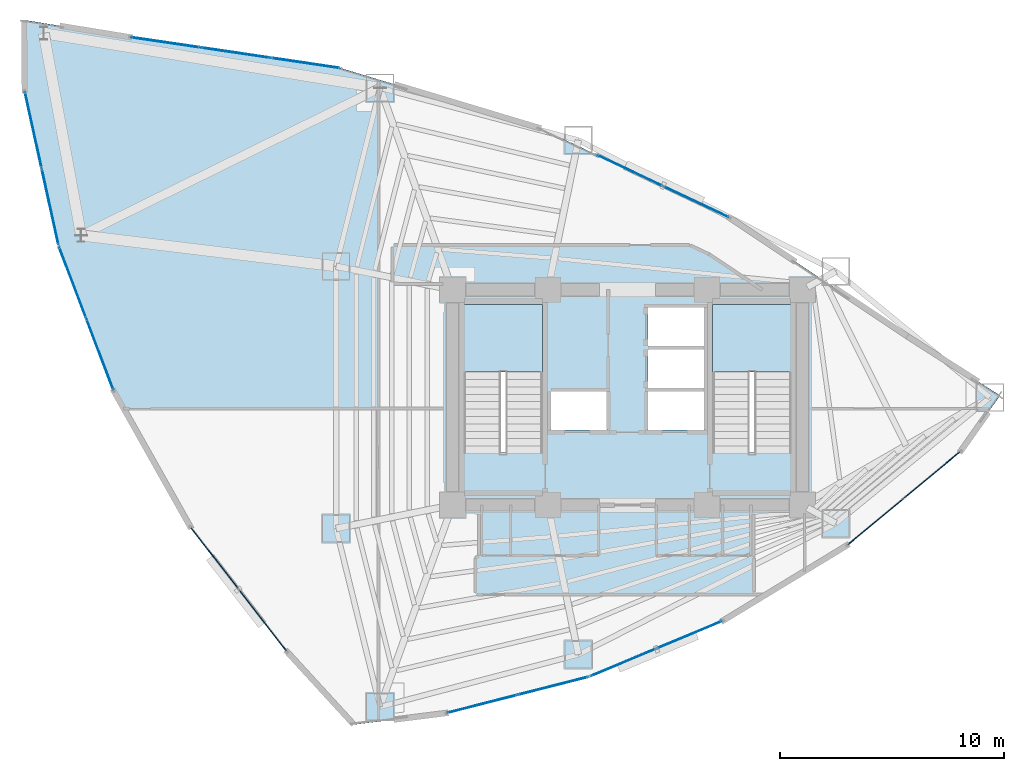
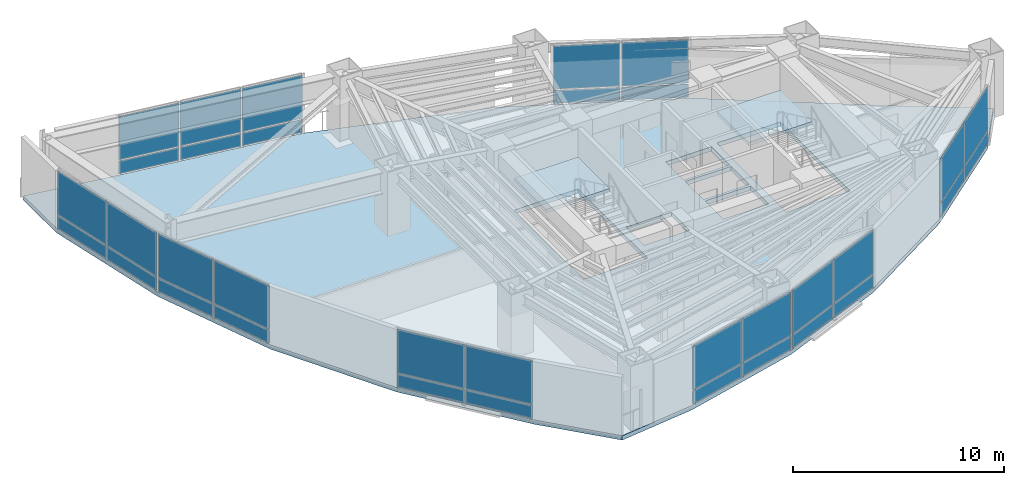
# One storey, part 18 of 23: 34 plates, 3 slabs, 10 elements without a shape of their own.
"""IFC4 building model written with IfcOpenShell, lengths in metres."""

from ifc_helpers import new_model, si_unit, direction, frame, origin, origin_2d, place, context, subcontext, project, spatial, polyline, rectangle, outline, extrude, material, layer, layer_set, type_object, element, aggregate, save


model = new_model("IFC4")

# Units and contexts
model_context = context("Model", 3, precision=1e-05, world=origin(), true_north=direction((0.0, 1.0)))
body_context = subcontext(model_context, "Body", "Model", "MODEL_VIEW")
ifc_project = project(units=[si_unit("LENGTHUNIT", "METRE"), si_unit("AREAUNIT", "SQUARE_METRE"), si_unit("VOLUMEUNIT", "CUBIC_METRE"), si_unit("PLANEANGLEUNIT", "RADIAN"), si_unit("MASSUNIT", "GRAM", prefix="KILO")], contexts=[model_context])

# Site, building, storey
site_placement = place(None, origin())
site = spatial("IfcSite", under=ifc_project, at=site_placement, CompositionType="ELEMENT")
building_placement = place(site_placement, origin())
building = spatial("IfcBuilding", under=site, at=building_placement, Name="Menara Vayukalpa", CompositionType="ELEMENT")
storey_placement = place(building_placement, frame((0.0, 0.0, 111.419921875)))
storey = spatial("IfcBuildingStorey", under=building, at=storey_placement, Name="L27", CompositionType="ELEMENT", Elevation=111.419921875)

# Curtain wall, plates
ifc_material_1 = material(Name="Anodised Terracotta Aluminium Alloy 6063-T6", Category="masonry")
ifc_layer_1 = layer(ifc_material_1, 0.179931640625)
ifc_layer_set_1 = layer_set([ifc_layer_1], Name="Anodised Terracotta Aluminium Alloy 6063-T6")
curtain_wall_type = type_object("IfcCurtainWallType", Name="CW-CW4", PredefinedType="USERDEFINED", material=ifc_layer_set_1)
curtain_wall_1_placement = place(storey_placement, origin())
curtain_wall_1 = element("IfcCurtainWall", 1, at=curtain_wall_1_placement, inside=storey, type_object=curtain_wall_type, Name="L27 Sky Bar Cantilever Glazed Curtain Wall CW4 05", ObjectType="UNITISED", PredefinedType="USERDEFINED")
ifc_material_2 = material(Name="Low-E Double Glazing", Category="glass")
ifc_layer_2 = layer(ifc_material_2, 0.0380859375)
ifc_layer_set_2 = layer_set([ifc_layer_2], Name="Low-E Double Glazing")
plate_type = type_object("IfcPlateType", Name="CWP-CW4", PredefinedType="CURTAIN_PANEL", material=ifc_layer_set_2)
plate_1_placement = place(storey_placement, frame((28.653076171875, 30.7216796875, 0.070068359375), z_axis=(0.0, 0.0, 1.0), x_axis=(-0.903839947796, 0.427870715016, 0.0)))
plate_1 = element("IfcPlate", 2, at=plate_1_placement, type_object=plate_type, Name="CW4 panel 1.1", PredefinedType="CURTAIN_PANEL", context=body_context, shape_type="SweptSolid", body=[
    extrude(rectangle(XDim=3.18701171875, YDim=0.0380859375, at=origin_2d()), origin(), (0.0, 0.0, 1.0), 0.7451171875),
])
plate_2_placement = place(storey_placement, frame((28.653076171875, 30.7216796875, 0.88525390625), z_axis=(0.0, 0.0, 1.0), x_axis=(-0.903839947796, 0.427870715016, 0.0)))
plate_2 = element("IfcPlate", 3, at=plate_2_placement, type_object=plate_type, Name="CW4 panel 1.2", PredefinedType="CURTAIN_PANEL", context=body_context, shape_type="SweptSolid", body=[
    extrude(rectangle(XDim=3.18701171875, YDim=0.0380859375, at=origin_2d()), origin(), (0.0, 0.0, 1.0), 2.514892578125),
])
plate_3_placement = place(storey_placement, frame((25.704833984375, 32.1171875, 0.070068359375), z_axis=(0.0, 0.0, 1.0), x_axis=(-0.903839947796, 0.427870715016, 0.0)))
plate_3 = element("IfcPlate", 4, at=plate_3_placement, type_object=plate_type, Name="CW4 panel 2.1", PredefinedType="CURTAIN_PANEL", context=body_context, shape_type="SweptSolid", body=[
    extrude(rectangle(XDim=3.18701171875, YDim=0.0380859375, at=origin_2d()), origin(), (0.0, 0.0, 1.0), 0.7451171875),
])
plate_4_placement = place(storey_placement, frame((25.704833984375, 32.1171875, 0.88525390625), z_axis=(0.0, 0.0, 1.0), x_axis=(-0.903839947796, 0.427870715016, 0.0)))
plate_4 = element("IfcPlate", 5, at=plate_4_placement, type_object=plate_type, Name="CW4 panel 2.2", PredefinedType="CURTAIN_PANEL", context=body_context, shape_type="SweptSolid", body=[
    extrude(rectangle(XDim=3.18701171875, YDim=0.0380859375, at=origin_2d()), origin(), (0.0, 0.0, 1.0), 2.514892578125),
])
aggregate(curtain_wall_1, [plate_1, plate_2, plate_3, plate_4])

curtain_wall_2_placement = place(storey_placement, origin())
curtain_wall_2 = element("IfcCurtainWall", 6, at=curtain_wall_2_placement, inside=storey, type_object=curtain_wall_type, Name="L27 Sky Bar Cantilever Glazed Curtain Wall CW4 07", ObjectType="UNITISED", PredefinedType="USERDEFINED")
plate_5_placement = place(storey_placement, frame((11.241455078125, 36.909423828125, 0.070068359375), z_axis=(0.0, 0.0, 1.0), x_axis=(-0.989365495659, 0.145450733924, 0.0)))
plate_5 = element("IfcPlate", 7, at=plate_5_placement, type_object=plate_type, Name="CW4 panel 1.1", PredefinedType="CURTAIN_PANEL", context=body_context, shape_type="SweptSolid", body=[
    extrude(rectangle(XDim=3.06005859375, YDim=0.0380859375, at=origin_2d()), origin(), (0.0, 0.0, 1.0), 0.7451171875),
])
plate_6_placement = place(storey_placement, frame((11.241455078125, 36.909423828125, 0.88525390625), z_axis=(0.0, 0.0, 1.0), x_axis=(-0.989365495659, 0.145450733924, 0.0)))
plate_6 = element("IfcPlate", 8, at=plate_6_placement, type_object=plate_type, Name="CW4 panel 1.2", PredefinedType="CURTAIN_PANEL", context=body_context, shape_type="SweptSolid", body=[
    extrude(rectangle(XDim=3.06005859375, YDim=0.0380859375, at=origin_2d()), origin(), (0.0, 0.0, 1.0), 2.514892578125),
])
plate_7_placement = place(storey_placement, frame((8.121337890625, 37.3681640625, 0.070068359375), z_axis=(0.0, 0.0, 1.0), x_axis=(-0.989365495659, 0.145450733924, 0.0)))
plate_7 = element("IfcPlate", 9, at=plate_7_placement, type_object=plate_type, Name="CW4 panel 2.1", PredefinedType="CURTAIN_PANEL", context=body_context, shape_type="SweptSolid", body=[
    extrude(rectangle(XDim=3.097412109375, YDim=0.0380859375, at=origin_2d()), origin(), (0.0, 0.0, 1.0), 0.7451171875),
])
plate_8_placement = place(storey_placement, frame((8.121337890625, 37.3681640625, 0.88525390625), z_axis=(0.0, 0.0, 1.0), x_axis=(-0.989365495659, 0.145450733924, 0.0)))
plate_8 = element("IfcPlate", 10, at=plate_8_placement, type_object=plate_type, Name="CW4 panel 2.2", PredefinedType="CURTAIN_PANEL", context=body_context, shape_type="SweptSolid", body=[
    extrude(rectangle(XDim=3.097412109375, YDim=0.0380859375, at=origin_2d()), origin(), (0.0, 0.0, 1.0), 2.514892578125),
])
plate_9_placement = place(storey_placement, frame((5.001220703125, 37.826904296875, 0.070068359375), z_axis=(0.0, 0.0, 1.0), x_axis=(-0.989365495659, 0.145450733924, 0.0)))
plate_9 = element("IfcPlate", 11, at=plate_9_placement, type_object=plate_type, Name="CW4 panel 3.1", PredefinedType="CURTAIN_PANEL", context=body_context, shape_type="SweptSolid", body=[
    extrude(rectangle(XDim=3.06005859375, YDim=0.0380859375, at=origin_2d()), origin(), (0.0, 0.0, 1.0), 0.7451171875),
])
plate_10_placement = place(storey_placement, frame((5.001220703125, 37.826904296875, 0.88525390625), z_axis=(0.0, 0.0, 1.0), x_axis=(-0.989365495659, 0.145450733924, 0.0)))
plate_10 = element("IfcPlate", 12, at=plate_10_placement, type_object=plate_type, Name="CW4 panel 3.2", PredefinedType="CURTAIN_PANEL", context=body_context, shape_type="SweptSolid", body=[
    extrude(rectangle(XDim=3.06005859375, YDim=0.0380859375, at=origin_2d()), origin(), (0.0, 0.0, 1.0), 2.514892578125),
])
aggregate(curtain_wall_2, [plate_5, plate_6, plate_7, plate_8, plate_9, plate_10])

curtain_wall_3_placement = place(storey_placement, origin())
curtain_wall_3 = element("IfcCurtainWall", 13, at=curtain_wall_3_placement, inside=storey, type_object=curtain_wall_type, Name="L27 Sky Bar Cantilever Glazed Curtain Wall CW4 10", ObjectType="UNITISED", PredefinedType="USERDEFINED")
plate_11_placement = place(storey_placement, frame((-0.8916015625, 33.92529296875, 0.070068359375), z_axis=(0.0, 0.0, 1.0), x_axis=(0.214510159112, -0.976721757533, 0.0)))
plate_11 = element("IfcPlate", 14, at=plate_11_placement, type_object=plate_type, Name="CW4 panel 1.1", PredefinedType="CURTAIN_PANEL", context=body_context, shape_type="SweptSolid", body=[
    extrude(rectangle(XDim=3.427734375, YDim=0.0380859375, at=origin_2d()), origin(), (0.0, 0.0, 1.0), 0.7451171875),
])
plate_12_placement = place(storey_placement, frame((-0.8916015625, 33.92529296875, 0.88525390625), z_axis=(0.0, 0.0, 1.0), x_axis=(0.214510159112, -0.976721757533, 0.0)))
plate_12 = element("IfcPlate", 15, at=plate_12_placement, type_object=plate_type, Name="CW4 panel 1.2", PredefinedType="CURTAIN_PANEL", context=body_context, shape_type="SweptSolid", body=[
    extrude(rectangle(XDim=3.427734375, YDim=0.0380859375, at=origin_2d()), origin(), (0.0, 0.0, 1.0), 2.514892578125),
])
plate_13_placement = place(storey_placement, frame((-0.14013671875, 30.50439453125, 0.070068359375), z_axis=(0.0, 0.0, 1.0), x_axis=(0.214510159112, -0.976721757533, 0.0)))
plate_13 = element("IfcPlate", 16, at=plate_13_placement, type_object=plate_type, Name="CW4 panel 2.1", PredefinedType="CURTAIN_PANEL", context=body_context, shape_type="SweptSolid", body=[
    extrude(rectangle(XDim=3.427734375, YDim=0.0380859375, at=origin_2d()), origin(), (0.0, 0.0, 1.0), 0.7451171875),
])
plate_14_placement = place(storey_placement, frame((-0.14013671875, 30.50439453125, 0.88525390625), z_axis=(0.0, 0.0, 1.0), x_axis=(0.214510159112, -0.976721757533, 0.0)))
plate_14 = element("IfcPlate", 17, at=plate_14_placement, type_object=plate_type, Name="CW4 panel 2.2", PredefinedType="CURTAIN_PANEL", context=body_context, shape_type="SweptSolid", body=[
    extrude(rectangle(XDim=3.427734375, YDim=0.0380859375, at=origin_2d()), origin(), (0.0, 0.0, 1.0), 2.514892578125),
])
aggregate(curtain_wall_3, [plate_11, plate_12, plate_13, plate_14])

curtain_wall_4_placement = place(storey_placement, origin())
curtain_wall_4 = element("IfcCurtainWall", 18, at=curtain_wall_4_placement, inside=storey, type_object=curtain_wall_type, Name="L27 Sky Bar Cantilever Glazed Curtain Wall CW4 11", ObjectType="UNITISED", PredefinedType="USERDEFINED")
plate_15_placement = place(storey_placement, frame((0.864501953125, 27.120361328125, 0.070068359375), z_axis=(0.0, 0.0, 1.0), x_axis=(0.354742140657, -0.934964177732, 0.0)))
plate_15 = element("IfcPlate", 19, at=plate_15_placement, type_object=plate_type, Name="CW4 panel 1.1", PredefinedType="CURTAIN_PANEL", context=body_context, shape_type="SweptSolid", body=[
    extrude(rectangle(XDim=3.35107421875, YDim=0.0380859375, at=origin_2d()), origin(), (0.0, 0.0, 1.0), 0.7451171875),
])
plate_16_placement = place(storey_placement, frame((0.864501953125, 27.120361328125, 0.88525390625), z_axis=(0.0, 0.0, 1.0), x_axis=(0.354742140657, -0.934964177732, 0.0)))
plate_16 = element("IfcPlate", 20, at=plate_16_placement, type_object=plate_type, Name="CW4 panel 1.2", PredefinedType="CURTAIN_PANEL", context=body_context, shape_type="SweptSolid", body=[
    extrude(rectangle(XDim=3.35107421875, YDim=0.0380859375, at=origin_2d()), origin(), (0.0, 0.0, 1.0), 2.514892578125),
])
plate_17_placement = place(storey_placement, frame((2.079833984375, 23.917236328125, 0.070068359375), z_axis=(0.0, 0.0, 1.0), x_axis=(0.354742140657, -0.934964177732, 0.0)))
plate_17 = element("IfcPlate", 21, at=plate_17_placement, type_object=plate_type, Name="CW4 panel 2.1", PredefinedType="CURTAIN_PANEL", context=body_context, shape_type="SweptSolid", body=[
    extrude(rectangle(XDim=3.35107421875, YDim=0.0380859375, at=origin_2d()), origin(), (0.0, 0.0, 1.0), 0.7451171875),
])
plate_18_placement = place(storey_placement, frame((2.079833984375, 23.917236328125, 0.88525390625), z_axis=(0.0, 0.0, 1.0), x_axis=(0.354742140657, -0.934964177732, 0.0)))
plate_18 = element("IfcPlate", 22, at=plate_18_placement, type_object=plate_type, Name="CW4 panel 2.2", PredefinedType="CURTAIN_PANEL", context=body_context, shape_type="SweptSolid", body=[
    extrude(rectangle(XDim=3.35107421875, YDim=0.0380859375, at=origin_2d()), origin(), (0.0, 0.0, 1.0), 2.514892578125),
])
aggregate(curtain_wall_4, [plate_15, plate_16, plate_17, plate_18])

curtain_wall_5_placement = place(storey_placement, origin())
curtain_wall_5 = element("IfcCurtainWall", 23, at=curtain_wall_5_placement, inside=storey, type_object=curtain_wall_type, Name="L27 Sky Bar Cantilever Glazed Curtain Wall CW4 13", ObjectType="UNITISED", PredefinedType="USERDEFINED")
plate_19_placement = place(storey_placement, frame((7.19189453125, 14.82861328125, 0.070068359375), z_axis=(0.0, 0.0, 1.0), x_axis=(0.612188860273, -0.790711577857, 0.0)))
plate_19 = element("IfcPlate", 24, at=plate_19_placement, type_object=plate_type, Name="CW4 panel 1.1", PredefinedType="CURTAIN_PANEL", context=body_context, shape_type="SweptSolid", body=[
    extrude(rectangle(XDim=3.427734375, YDim=0.0380859375, at=origin_2d()), origin(), (0.0, 0.0, 1.0), 0.7451171875),
])
plate_20_placement = place(storey_placement, frame((7.19189453125, 14.82861328125, 0.88525390625), z_axis=(0.0, 0.0, 1.0), x_axis=(0.612188860273, -0.790711577857, 0.0)))
plate_20 = element("IfcPlate", 25, at=plate_20_placement, type_object=plate_type, Name="CW4 panel 1.2", PredefinedType="CURTAIN_PANEL", context=body_context, shape_type="SweptSolid", body=[
    extrude(rectangle(XDim=3.427734375, YDim=0.0380859375, at=origin_2d()), origin(), (0.0, 0.0, 1.0), 2.514892578125),
])
plate_21_placement = place(storey_placement, frame((9.336181640625, 12.05908203125, 0.070068359375), z_axis=(0.0, 0.0, 1.0), x_axis=(0.612188860273, -0.790711577857, 0.0)))
plate_21 = element("IfcPlate", 26, at=plate_21_placement, type_object=plate_type, Name="CW4 panel 2.1", PredefinedType="CURTAIN_PANEL", context=body_context, shape_type="SweptSolid", body=[
    extrude(rectangle(XDim=3.427734375, YDim=0.0380859375, at=origin_2d()), origin(), (0.0, 0.0, 1.0), 0.7451171875),
])
plate_22_placement = place(storey_placement, frame((9.336181640625, 12.05908203125, 0.88525390625), z_axis=(0.0, 0.0, 1.0), x_axis=(0.612188860273, -0.790711577857, 0.0)))
plate_22 = element("IfcPlate", 27, at=plate_22_placement, type_object=plate_type, Name="CW4 panel 2.2", PredefinedType="CURTAIN_PANEL", context=body_context, shape_type="SweptSolid", body=[
    extrude(rectangle(XDim=3.427734375, YDim=0.0380859375, at=origin_2d()), origin(), (0.0, 0.0, 1.0), 2.514892578125),
])
aggregate(curtain_wall_5, [plate_19, plate_20, plate_21, plate_22])

curtain_wall_6_placement = place(storey_placement, origin())
curtain_wall_6 = element("IfcCurtainWall", 28, at=curtain_wall_6_placement, inside=storey, type_object=curtain_wall_type, Name="L27 Sky Bar Cantilever Glazed Curtain Wall CW4 16", ObjectType="UNITISED", PredefinedType="USERDEFINED")
plate_23_placement = place(storey_placement, frame((19.1279296875, 8.33349609375, 0.070068359375), z_axis=(0.0, 0.0, 1.0), x_axis=(0.968982181476, 0.247130597017, 0.0)))
plate_23 = element("IfcPlate", 29, at=plate_23_placement, type_object=plate_type, Name="CW4 panel 1.1", PredefinedType="CURTAIN_PANEL", context=body_context, shape_type="SweptSolid", body=[
    extrude(rectangle(XDim=3.1884765625, YDim=0.0380859375, at=origin_2d()), origin(), (0.0, 0.0, 1.0), 0.7451171875),
])
plate_24_placement = place(storey_placement, frame((19.1279296875, 8.33349609375, 0.88525390625), z_axis=(0.0, 0.0, 1.0), x_axis=(0.968982181476, 0.247130597017, 0.0)))
plate_24 = element("IfcPlate", 30, at=plate_24_placement, type_object=plate_type, Name="CW4 panel 1.2", PredefinedType="CURTAIN_PANEL", context=body_context, shape_type="SweptSolid", body=[
    extrude(rectangle(XDim=3.1884765625, YDim=0.0380859375, at=origin_2d()), origin(), (0.0, 0.0, 1.0), 2.514892578125),
])
plate_25_placement = place(storey_placement, frame((22.2900390625, 9.139892578125, 0.070068359375), z_axis=(0.0, 0.0, 1.0), x_axis=(0.968982181476, 0.247130597017, 0.0)))
plate_25 = element("IfcPlate", 31, at=plate_25_placement, type_object=plate_type, Name="CW4 panel 2.1", PredefinedType="CURTAIN_PANEL", context=body_context, shape_type="SweptSolid", body=[
    extrude(rectangle(XDim=3.1884765625, YDim=0.0380859375, at=origin_2d()), origin(), (0.0, 0.0, 1.0), 0.7451171875),
])
plate_26_placement = place(storey_placement, frame((22.2900390625, 9.139892578125, 0.88525390625), z_axis=(0.0, 0.0, 1.0), x_axis=(0.968982181476, 0.247130597017, 0.0)))
plate_26 = element("IfcPlate", 32, at=plate_26_placement, type_object=plate_type, Name="CW4 panel 2.2", PredefinedType="CURTAIN_PANEL", context=body_context, shape_type="SweptSolid", body=[
    extrude(rectangle(XDim=3.1884765625, YDim=0.0380859375, at=origin_2d()), origin(), (0.0, 0.0, 1.0), 2.514892578125),
])
aggregate(curtain_wall_6, [plate_23, plate_24, plate_25, plate_26])

curtain_wall_7_placement = place(storey_placement, origin())
curtain_wall_7 = element("IfcCurtainWall", 33, at=curtain_wall_7_placement, inside=storey, type_object=curtain_wall_type, Name="L27 Sky Bar Cantilever Glazed Curtain Wall CW4 17", ObjectType="UNITISED", PredefinedType="USERDEFINED")
plate_27_placement = place(storey_placement, frame((25.414306640625, 10.1826171875, 0.070068359375), z_axis=(0.0, 0.0, 1.0), x_axis=(0.922543300632, 0.38589358437, 0.0)))
plate_27 = element("IfcPlate", 34, at=plate_27_placement, type_object=plate_type, Name="CW4 panel 1.1", PredefinedType="CURTAIN_PANEL", context=body_context, shape_type="SweptSolid", body=[
    extrude(rectangle(XDim=3.116943359375, YDim=0.0380859375, at=origin_2d()), origin(), (0.0, 0.0, 1.0), 0.7451171875),
])
plate_28_placement = place(storey_placement, frame((25.414306640625, 10.1826171875, 0.88525390625), z_axis=(0.0, 0.0, 1.0), x_axis=(0.922543300632, 0.38589358437, 0.0)))
plate_28 = element("IfcPlate", 35, at=plate_28_placement, type_object=plate_type, Name="CW4 panel 1.2", PredefinedType="CURTAIN_PANEL", context=body_context, shape_type="SweptSolid", body=[
    extrude(rectangle(XDim=3.116943359375, YDim=0.0380859375, at=origin_2d()), origin(), (0.0, 0.0, 1.0), 2.514892578125),
])
plate_29_placement = place(storey_placement, frame((28.35888671875, 11.41455078125, 0.070068359375), z_axis=(0.0, 0.0, 1.0), x_axis=(0.922543300632, 0.38589358437, 0.0)))
plate_29 = element("IfcPlate", 36, at=plate_29_placement, type_object=plate_type, Name="CW4 panel 2.1", PredefinedType="CURTAIN_PANEL", context=body_context, shape_type="SweptSolid", body=[
    extrude(rectangle(XDim=3.116943359375, YDim=0.0380859375, at=origin_2d()), origin(), (0.0, 0.0, 1.0), 0.7451171875),
])
plate_30_placement = place(storey_placement, frame((28.35888671875, 11.41455078125, 0.88525390625), z_axis=(0.0, 0.0, 1.0), x_axis=(0.922543300632, 0.38589358437, 0.0)))
plate_30 = element("IfcPlate", 37, at=plate_30_placement, type_object=plate_type, Name="CW4 panel 2.2", PredefinedType="CURTAIN_PANEL", context=body_context, shape_type="SweptSolid", body=[
    extrude(rectangle(XDim=3.116943359375, YDim=0.0380859375, at=origin_2d()), origin(), (0.0, 0.0, 1.0), 2.514892578125),
])
aggregate(curtain_wall_7, [plate_27, plate_28, plate_29, plate_30])

curtain_wall_8_placement = place(storey_placement, origin())
curtain_wall_8 = element("IfcCurtainWall", 38, at=curtain_wall_8_placement, inside=storey, type_object=curtain_wall_type, Name="L27 Sky Bar Cantilever Glazed Curtain Wall CW4 19", ObjectType="UNITISED", PredefinedType="USERDEFINED")
plate_31_placement = place(storey_placement, frame((36.6708984375, 16.463623046875, 0.070068359375), z_axis=(0.0, 0.0, 1.0), x_axis=(0.769749972797, 0.638345501574, 0.0)))
plate_31 = element("IfcPlate", 39, at=plate_31_placement, type_object=plate_type, Name="CW4 panel 1.1", PredefinedType="CURTAIN_PANEL", context=body_context, shape_type="SweptSolid", body=[
    extrude(rectangle(XDim=3.1884765625, YDim=0.0380859375, at=origin_2d()), origin(), (0.0, 0.0, 1.0), 0.7451171875),
])
plate_32_placement = place(storey_placement, frame((36.6708984375, 16.463623046875, 0.88525390625), z_axis=(0.0, 0.0, 1.0), x_axis=(0.769749972797, 0.638345501574, 0.0)))
plate_32 = element("IfcPlate", 40, at=plate_32_placement, type_object=plate_type, Name="CW4 panel 1.2", PredefinedType="CURTAIN_PANEL", context=body_context, shape_type="SweptSolid", body=[
    extrude(rectangle(XDim=3.1884765625, YDim=0.0380859375, at=origin_2d()), origin(), (0.0, 0.0, 1.0), 2.514892578125),
])
plate_33_placement = place(storey_placement, frame((39.182861328125, 18.546875, 0.070068359375), z_axis=(0.0, 0.0, 1.0), x_axis=(0.769749972797, 0.638345501574, 0.0)))
plate_33 = element("IfcPlate", 41, at=plate_33_placement, type_object=plate_type, Name="CW4 panel 2.1", PredefinedType="CURTAIN_PANEL", context=body_context, shape_type="SweptSolid", body=[
    extrude(rectangle(XDim=3.1884765625, YDim=0.0380859375, at=origin_2d()), origin(), (0.0, 0.0, 1.0), 0.7451171875),
])
plate_34_placement = place(storey_placement, frame((39.182861328125, 18.546875, 0.88525390625), z_axis=(0.0, 0.0, 1.0), x_axis=(0.769749972797, 0.638345501574, 0.0)))
plate_34 = element("IfcPlate", 42, at=plate_34_placement, type_object=plate_type, Name="CW4 panel 2.2", PredefinedType="CURTAIN_PANEL", context=body_context, shape_type="SweptSolid", body=[
    extrude(rectangle(XDim=3.1884765625, YDim=0.0380859375, at=origin_2d()), origin(), (0.0, 0.0, 1.0), 2.514892578125),
])
aggregate(curtain_wall_8, [plate_31, plate_32, plate_33, plate_34])

# Slab
ifc_material_3 = material(Name="Concrete C40/50", Category="concrete")
ifc_layer_3 = layer(ifc_material_3, 0.25)
ifc_layer_set_3 = layer_set([ifc_layer_3], Name="Concrete C40/50")
slab_type_1 = type_object("IfcSlabType", Name="SLB-FL250", PredefinedType="FLOOR", material=ifc_layer_set_3)
slab_1_placement = place(storey_placement, frame((0.0, 0.0, -0.25)))
element("IfcSlab", 43, at=slab_1_placement, inside=storey, type_object=slab_type_1, Name="L27 Sky Bar Structural Floor Slab", PredefinedType="FLOOR", context=body_context, shape_type="SweptSolid", body=[
    extrude(outline(polyline([(40.4677734375, 19.6123046875), (42.214111328125, 22.083984375), (38.076904296875, 24.7236328125), (30.1611328125, 30.0078125), (21.745361328125, 33.99169921875), (12.829345703125, 36.676025390625), (3.4130859375, 38.060302734375), (-1.298583984375, 38.8251953125), (-1.275390625, 35.672607421875), (0.243408203125, 28.757080078125), (2.70068359375, 22.280517578125), (6.0966796875, 16.2431640625), (10.43115234375, 10.64453125), (13.396240234375, 7.407958984375), (17.510498046875, 7.9208984375), (23.907470703125, 9.552490234375), (29.865966796875, 12.044921875), (35.385986328125, 15.398193359375), (40.4677734375, 19.6123046875)]), holes=[polyline([(21.800048828125, 19.550048828125), (21.800048828125, 26.14990234375), (18.300048828125, 26.14990234375), (18.300048828125, 19.550048828125), (21.800048828125, 19.550048828125)]), polyline([(32.89990234375, 19.550048828125), (32.89990234375, 26.14990234375), (29.39990234375, 26.14990234375), (29.39990234375, 19.550048828125), (32.89990234375, 19.550048828125)]), polyline([(22.179931640625, 20.550048828125), (24.679931640625, 20.550048828125), (24.679931640625, 22.27001953125), (22.179931640625, 22.27001953125), (22.179931640625, 20.550048828125)]), polyline([(26.52001953125, 20.550048828125), (29.02001953125, 20.550048828125), (29.02001953125, 22.27001953125), (26.52001953125, 22.27001953125), (26.52001953125, 20.550048828125)]), polyline([(26.52001953125, 24.2900390625), (29.02001953125, 24.2900390625), (29.02001953125, 26.010009765625), (26.52001953125, 26.010009765625), (26.52001953125, 24.2900390625)]), polyline([(26.52001953125, 22.419921875), (29.02001953125, 22.419921875), (29.02001953125, 24.139892578125), (26.52001953125, 24.139892578125), (26.52001953125, 22.419921875)])]), origin(), (0.0, 0.0, 1.0), 0.25),
])

# Stair, slab
ifc_material_4 = material(Name="Precast Concrete C40/50", Category="concrete")
stair_type = type_object("IfcStairType", Name="STR-T04", PredefinedType="DOUBLE_RETURN_STAIR", material=ifc_material_4)
stair_1_placement = place(storey_placement, origin())
stair_1 = element("IfcStair", 44, at=stair_1_placement, inside=storey, type_object=stair_type, Name="L27 Core Exit Stair ST-1", PredefinedType="DOUBLE_RETURN_STAIR")
ifc_material_5 = material(Name="Precast Concrete C40/50", Category="concrete")
ifc_layer_4 = layer(ifc_material_5, 0.199951171875)
ifc_layer_set_4 = layer_set([ifc_layer_4], Name="Precast Concrete C40/50")
slab_type_2 = type_object("IfcSlabType", Name="SLB-LND200", PredefinedType="LANDING", material=ifc_layer_set_4)
slab_2_placement = place(storey_placement, frame((0.0, 0.0, 1.66015625)))
slab_2 = element("IfcSlab", 45, at=slab_2_placement, type_object=slab_type_2, Name="ST-1 landing 1", PredefinedType="LANDING", context=body_context, shape_type="SweptSolid", body=[
    extrude(outline(polyline([(21.800048828125, 23.1298828125), (21.800048828125, 26.14990234375), (18.300048828125, 26.14990234375), (18.300048828125, 23.1298828125), (21.800048828125, 23.1298828125)])), origin(), (0.0, 0.0, 1.0), 0.199951171875),
])
aggregate(stair_1, [slab_2])

stair_2_placement = place(storey_placement, origin())
stair_2 = element("IfcStair", 46, at=stair_2_placement, inside=storey, type_object=stair_type, Name="L27 Core Exit Stair ST-2", PredefinedType="DOUBLE_RETURN_STAIR")
slab_3_placement = place(storey_placement, frame((0.0, 0.0, 1.66015625)))
slab_3 = element("IfcSlab", 47, at=slab_3_placement, type_object=slab_type_2, Name="ST-2 landing 1", PredefinedType="LANDING", context=body_context, shape_type="SweptSolid", body=[
    extrude(outline(polyline([(32.89990234375, 23.1298828125), (32.89990234375, 26.14990234375), (29.39990234375, 26.14990234375), (29.39990234375, 23.1298828125), (32.89990234375, 23.1298828125)])), origin(), (0.0, 0.0, 1.0), 0.199951171875),
])
aggregate(stair_2, [slab_3])

save(model, "model.ifc")
